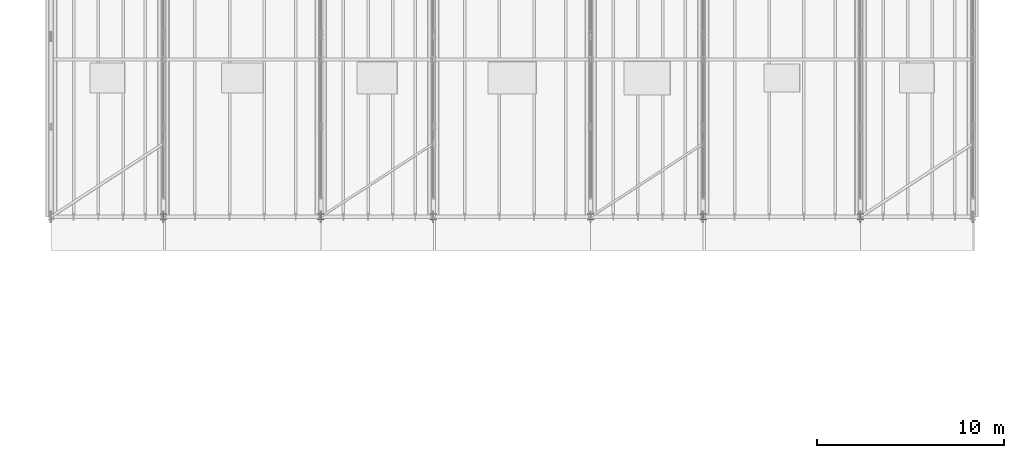
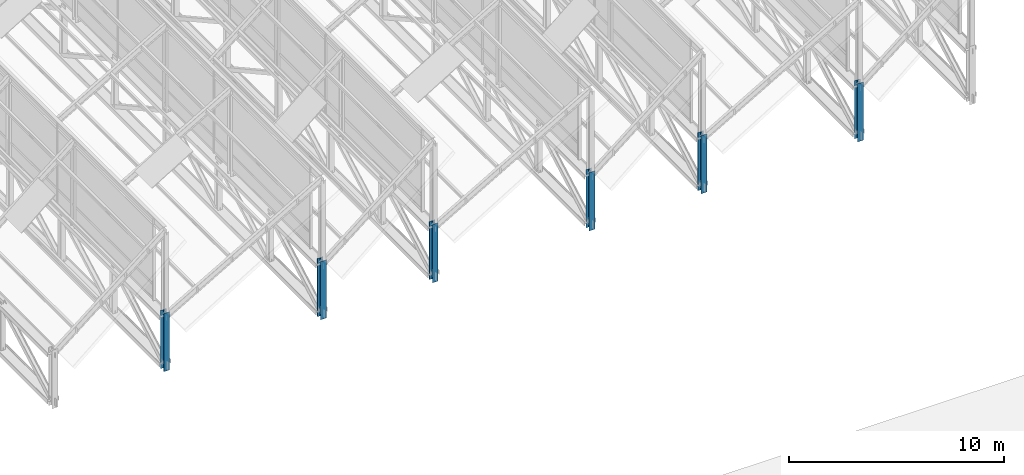
# One storey, part 4 of 101: 6 columns.
"""IFC4 building model written with IfcOpenShell, lengths in metres."""

from ifc_helpers import new_model, si_unit, direction, frame, origin, origin_2d, place, context, subcontext, project, spatial, i_section, extrude, material, material_profile, profile_set, type_object, element, save


model = new_model("IFC4")

# Units and contexts
model_context = context("Model", 3, precision=1e-05, world=origin(), true_north=direction((0.0, 1.0)))
body_context = subcontext(model_context, "Body", "Model", "MODEL_VIEW")
ifc_project = project(units=[si_unit("LENGTHUNIT", "METRE"), si_unit("AREAUNIT", "SQUARE_METRE"), si_unit("VOLUMEUNIT", "CUBIC_METRE"), si_unit("PLANEANGLEUNIT", "RADIAN"), si_unit("MASSUNIT", "GRAM", prefix="KILO"), si_unit("THERMODYNAMICTEMPERATUREUNIT", "KELVIN")], contexts=[model_context])

# Site, building, storey
site_placement = place(None, origin())
site = spatial("IfcSite", under=ifc_project, at=site_placement, CompositionType="ELEMENT")
building_placement = place(site_placement, origin())
building = spatial("IfcBuilding", under=site, at=building_placement, Name="Thalorik Housing Commons", CompositionType="ELEMENT")
storey_placement = place(building_placement, frame((0.0, 0.0, 8.10009765625)))
storey = spatial("IfcBuildingStorey", under=building, at=storey_placement, Name="L02", CompositionType="ELEMENT", Elevation=8.10009765625)

# Columns
ifc_material = material(Name="Steel S355", Category="steel")
ifc_material_profile = material_profile(ifc_material, i_section(OverallWidth=0.31005859375, OverallDepth=0.30810546875, WebThickness=0.015380859375, FlangeThickness=0.015380859375, FilletRadius=0.011962890625, at=origin_2d()), Name="HP310x110", Category="steel")
ifc_profile_set = profile_set([ifc_material_profile], Name="Steel S355")
column_type = type_object("IfcColumnType", Name="STR-COL-HP310", PredefinedType="COLUMN", material=ifc_profile_set)
for number, where, z_axis, x_axis, name in (
    (1, (72.0, 57.60009765625, 0.0), (0.0, 0.0, 1.0), (1.0, 0.0, 0.0), "L02 Hall Sawtooth Bearing Column 2S"),
    (2, (80.39990234375, 57.60009765625, 0.0), (0.0, 0.0, 1.0), (1.0, 0.0, 0.0), "L02 Hall Sawtooth Bearing Column 3S"),
    (3, (86.39990234375, 57.60009765625, 0.0), (0.0, 0.0, 1.0), (1.0, 0.0, 0.0), "L02 Hall Sawtooth Bearing Column 4S"),
    (4, (94.800048828125, 57.60009765625, 0.0), (0.0, 0.0, 1.0), (1.0, 0.0, 0.0), "L02 Hall Sawtooth Bearing Column 5S"),
    (5, (100.800048828125, 57.60009765625, 0.0), (0.0, 0.0, 1.0), (1.0, 0.0, 0.0), "L02 Hall Sawtooth Bearing Column 6S"),
    (6, (109.199951171875, 57.60009765625, 0.0), (0.0, 0.0, 1.0), (1.0, 0.0, 0.0), "L02 Hall Sawtooth Bearing Column 7S"),
):
    element("IfcColumn", number, at=place(storey_placement, frame(where, z_axis=z_axis, x_axis=x_axis)), inside=storey, type_object=column_type, Name=name, PredefinedType="COLUMN", context=body_context, shape_type="SweptSolid", body=[
        extrude(i_section(OverallWidth=0.31005859375, OverallDepth=0.30810546875, WebThickness=0.015380859375, FlangeThickness=0.015380859375, FilletRadius=0.011962890625, at=origin_2d()), origin(), (0.0, 0.0, 1.0), 3.2998046875),
    ])

save(model, "model.ifc")
